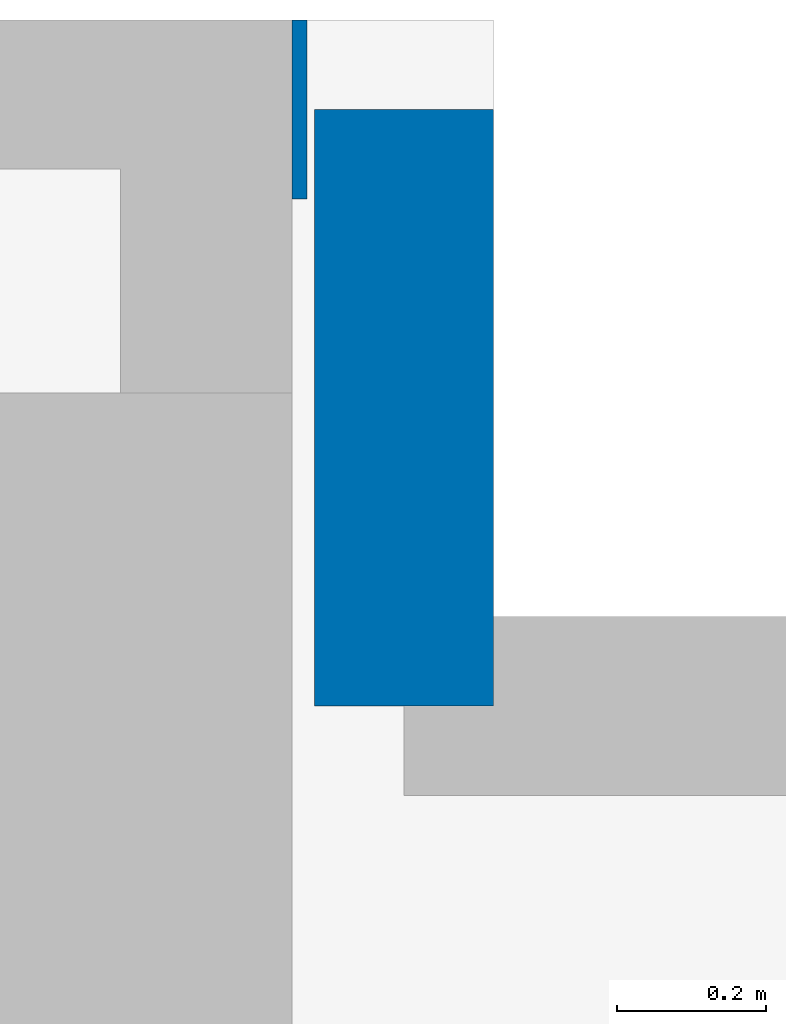
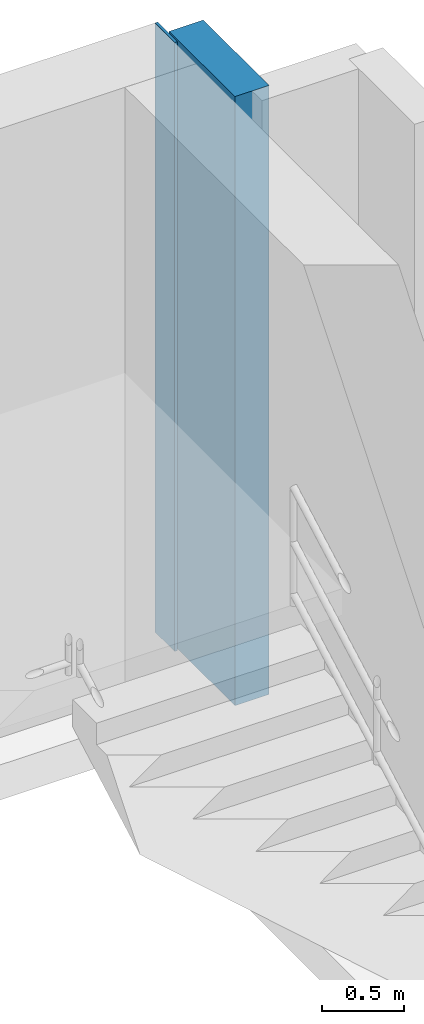
# One storey, part 8 of 11: 2 walls.
"""IFC4 building model written with IfcOpenShell, lengths in metres."""

import ifcopenshell
import ifcopenshell.guid

model = None  # the IFC model being written
_history = None  # IfcOwnerHistory: only IFC2X3 demands one
_inside = {}  # id of a spatial element -> (the spatial element, [elements in it])
_under = {}  # id of a project, library or spatial element -> (it, [spatial elements below it])
_declared = {}  # id of a project -> (the project, [libraries it declares])
_typed = {}  # id of a type object -> (the type object, [elements of that type])
_made_of = {}  # id of a material, layer set ... -> (it, [elements and type objects made of it])


def new_model(schema):
    """Start an empty IFC model of exactly this schema.

    Asked for "IFC4X3", IfcOpenShell would pick the latest addendum, in which some entities
    have other attributes; the version numbers below select the first issue.
    IFC2X3 requires an IfcOwnerHistory on every rooted entity: one is made here for all.
    """
    global model, _history
    if schema == "IFC4X3":
        model = ifcopenshell.file(schema_version=(4, 3, 0, 0))
    else:
        model = ifcopenshell.file(schema=schema)
    _inside.clear()
    _under.clear()
    _declared.clear()
    _typed.clear()
    _made_of.clear()
    _history = None
    if model.schema == "IFC2X3":
        org = make("IfcOrganization", Name="unknown")
        user = make(
            "IfcPersonAndOrganization",
            ThePerson=make("IfcPerson", FamilyName="unknown"),
            TheOrganization=org,
        )
        app = make(
            "IfcApplication",
            ApplicationDeveloper=org,
            Version="unknown",
            ApplicationFullName="unknown",
            ApplicationIdentifier="unknown",
        )
        _history = make(
            "IfcOwnerHistory",
            OwningUser=user,
            OwningApplication=app,
            ChangeAction="ADDED",
            CreationDate=0,
        )
    return model


def make(cls, **values):
    """One entity of the class cls with the attributes given. An attribute that is None is left unset."""
    return model.create_entity(
        cls, **{name: value for name, value in values.items() if value is not None}
    )


def rooted(cls, **values):
    """An entity with a GlobalId (a new one), such as an element, a storey or a relation."""
    return make(cls, GlobalId=ifcopenshell.guid.new(), OwnerHistory=_history, **values)


def si_unit(unit_type, name, prefix=None):
    """IfcSIUnit, for example si_unit("LENGTHUNIT", "METRE", prefix="MILLI")."""
    return make("IfcSIUnit", UnitType=unit_type, Prefix=prefix, Name=name)


def assignment(units):
    """IfcUnitAssignment: the units of a project."""
    return None if units is None else make("IfcUnitAssignment", Units=units)


def point(xyz):
    """IfcCartesianPoint."""
    return None if xyz is None else make("IfcCartesianPoint", Coordinates=xyz)


def direction(xyz):
    """IfcDirection."""
    return None if xyz is None else make("IfcDirection", DirectionRatios=xyz)


def frame(location, z_axis=None, x_axis=None):
    """IfcAxis2Placement3D, a coordinate frame: its origin and axes. An axis left out is left unset."""
    return make(
        "IfcAxis2Placement3D",
        Location=point(location),
        Axis=direction(z_axis),
        RefDirection=direction(x_axis),
    )


def frame_2d(location, x_axis=None):
    """IfcAxis2Placement2D, a coordinate frame in the plane: its origin and x axis."""
    return make(
        "IfcAxis2Placement2D", Location=point(location), RefDirection=direction(x_axis)
    )


def origin():
    """The frame at (0, 0, 0) with its axes left unset."""
    return frame((0.0, 0.0, 0.0))


def place(relative_to, where):
    """IfcLocalPlacement: puts the frame where relative to a parent placement (None: the world)."""
    return make(
        "IfcLocalPlacement", PlacementRelTo=relative_to, RelativePlacement=where
    )


def context(
    kind, dimensions, precision=None, world=None, true_north=None, identifier=None
):
    """IfcGeometricRepresentationContext, for example the 3D "Model" context."""
    return make(
        "IfcGeometricRepresentationContext",
        ContextIdentifier=identifier,
        ContextType=kind,
        CoordinateSpaceDimension=dimensions,
        Precision=precision,
        WorldCoordinateSystem=world,
        TrueNorth=true_north,
    )


def subcontext(parent, identifier, kind, view, scale=None):
    """IfcGeometricRepresentationSubContext, for example "Body" below "Model"."""
    return make(
        "IfcGeometricRepresentationSubContext",
        ContextIdentifier=identifier,
        ContextType=kind,
        ParentContext=parent,
        TargetScale=scale,
        TargetView=view,
    )


def project(units=None, contexts=None):
    """IfcProject with its units and contexts."""
    return rooted(
        "IfcProject",
        Name="project",
        RepresentationContexts=contexts,
        UnitsInContext=assignment(units),
    )


def spatial(cls, under=None, at=None, **own):
    """A site, building, storey or space (cls), placed at a placement, below another one or the project."""
    s = rooted(cls, ObjectPlacement=at, **own)
    if under is not None:
        _under.setdefault(under.id(), (under, []))[1].append(s)
    return s


def profile(cls, at=None, kind="AREA", **sizes):
    """A parametric profile (cls). Its sizes go by their IFC names, for example OverallWidth=200.0."""
    return make(cls, ProfileType=kind, Position=at, **sizes)


def rectangle(**sizes):
    """IfcRectangleProfileDef."""
    return profile("IfcRectangleProfileDef", **sizes)


def extrude(swept, where, along, depth):
    """IfcExtrudedAreaSolid: the profile swept, set in the frame where, extruded along a direction by depth."""
    return make(
        "IfcExtrudedAreaSolid",
        SweptArea=swept,
        Position=where,
        ExtrudedDirection=direction(along),
        Depth=depth,
    )


def shape(context_of_items, identifier, shape_type, items):
    """IfcShapeRepresentation: the items that make up one representation, for example the "Body"."""
    return make(
        "IfcShapeRepresentation",
        ContextOfItems=context_of_items,
        RepresentationIdentifier=identifier,
        RepresentationType=shape_type,
        Items=items,
    )


def material(Name=None, Category=None):
    """IfcMaterial."""
    return make("IfcMaterial", Name=Name, Category=Category)


def layer(
    of_material, thickness, ventilated=None, Name=None, Category=None, Priority=None
):
    """IfcMaterialLayer: one layer of a wall or slab, of a material (None: an air gap)."""
    return make(
        "IfcMaterialLayer",
        Material=of_material,
        LayerThickness=thickness,
        IsVentilated=ventilated,
        Name=Name,
        Category=Category,
        Priority=Priority,
    )


def layer_set(layers, Name=None):
    """IfcMaterialLayerSet."""
    return make("IfcMaterialLayerSet", MaterialLayers=layers, LayerSetName=Name)


def made_of(thing, what):
    """Note that an element or type object is made of a material, layer set ...; save() writes the relation."""
    if what is not None:
        _made_of.setdefault(what.id(), (what, []))[1].append(thing)
    return thing


def type_object(cls, material=None, **own):
    """A type object (cls), such as IfcWallType, which elements share."""
    return made_of(rooted(cls, **own), material)


def element(
    cls,
    number,
    at=None,
    inside=None,
    cuts=None,
    type_object=None,
    material=None,
    context=None,
    identifier="Body",
    shape_type=None,
    held_by="IfcProductDefinitionShape",
    body=None,
    shapes=None,
    **own,
):
    """One element of the class cls, such as IfcWall. Its Tag is "e" and its number.

    at: its placement. inside: the storey or other place that contains it. cuts: it is an
    opening in that element (IfcRelVoidsElement). A single representation is given by context,
    identifier, shape_type and body (its items); several are given by shapes. held_by: the class
    of the entity that holds the representations. save() writes the other relations.
    """
    e = rooted(cls, Tag="e%d" % number, ObjectPlacement=at, **own)
    if body is not None:
        shapes = [shape(context, identifier, shape_type, body)]
    if shapes is not None:
        e.Representation = make(held_by, Representations=shapes)
    if inside is not None:
        _inside.setdefault(inside.id(), (inside, []))[1].append(e)
    if cuts is not None:
        rooted(
            "IfcRelVoidsElement", RelatingBuildingElement=cuts, RelatedOpeningElement=e
        )
    if type_object is not None:
        _typed.setdefault(type_object.id(), (type_object, []))[1].append(e)
    return made_of(e, material)


def aggregate(whole, parts):
    """IfcRelAggregates: a whole, such as a stair, and the parts it consists of."""
    return rooted("IfcRelAggregates", RelatingObject=whole, RelatedObjects=parts)


def save(model, path):
    """Write the relations noted so far, then the file.

    IfcRelAggregates (storeys below a building ...), IfcRelContainedInSpatialStructure (elements
    in a storey), IfcRelDefinesByType, IfcRelAssociatesMaterial and IfcRelDeclares: one each for
    every whole, place, type object, material and project.
    """
    for whole, parts in _under.values():
        aggregate(whole, parts)
    for where, things in _inside.values():
        rooted(
            "IfcRelContainedInSpatialStructure",
            RelatedElements=things,
            RelatingStructure=where,
        )
    for kind, things in _typed.values():
        rooted("IfcRelDefinesByType", RelatedObjects=things, RelatingType=kind)
    for what, things in _made_of.values():
        rooted("IfcRelAssociatesMaterial", RelatedObjects=things, RelatingMaterial=what)
    for by, libraries in _declared.values():
        rooted("IfcRelDeclares", RelatingContext=by, RelatedDefinitions=libraries)
    model.write(path)


model = new_model("IFC4")

# Units and contexts
model_context = context("Model", 3, precision=1e-05, world=origin(), true_north=direction((0.0, 1.0)))
body_context = subcontext(model_context, "Body", "Model", "MODEL_VIEW")
ifc_project = project(units=[si_unit("LENGTHUNIT", "METRE"), si_unit("AREAUNIT", "SQUARE_METRE"), si_unit("VOLUMEUNIT", "CUBIC_METRE"), si_unit("PLANEANGLEUNIT", "RADIAN"), si_unit("MASSUNIT", "GRAM", prefix="KILO")], contexts=[model_context])

# Site, building, storey
site_placement = place(None, origin())
site = spatial("IfcSite", under=ifc_project, at=site_placement, CompositionType="ELEMENT")
building_placement = place(site_placement, origin())
building = spatial("IfcBuilding", under=site, at=building_placement, Name="Qianlan Lanfeng Residences", CompositionType="ELEMENT")
storey_placement = place(building_placement, frame((0.0, 0.0, 266.0)))
storey = spatial("IfcBuildingStorey", under=building, at=storey_placement, Name="L74", CompositionType="ELEMENT", Elevation=266.0)

# Walls
ifc_material = material(Name="Concrete C42", Category="concrete")
ifc_layer = layer(ifc_material, 0.239990234375)
ifc_layer_set = layer_set([ifc_layer], Name="Concrete C42")
wall_type = type_object("IfcWallType", Name="EW-240", PredefinedType="SOLIDWALL", material=ifc_layer_set)
wall_1_placement = place(storey_placement, frame((42.669921875, 40.1298828125, 0.0), z_axis=(0.0, 0.0, 1.0), x_axis=(-1.0, 0.0, 0.0)))
element("IfcWall", 1, at=wall_1_placement, inside=storey, type_object=wall_type, Name="L74 North Wing Wall E", PredefinedType="SOLIDWALL", context=body_context, shape_type="SweptSolid", body=[
    extrude(rectangle(XDim=0.02001953125, YDim=0.239990234375, at=frame_2d((0.010009765625, 0.0))), origin(), (0.0, 0.0, 1.0), 4.52001953125),
])
wall_2_placement = place(storey_placement, frame((42.800048828125, 39.330078125, 0.0), z_axis=(0.0, 0.0, 1.0), x_axis=(0.0, 1.0, 0.0)))
element("IfcWall", 2, at=wall_2_placement, inside=storey, type_object=wall_type, Name="L74 Exterior Facade Wall 12", PredefinedType="SOLIDWALL", context=body_context, shape_type="SweptSolid", body=[
    extrude(rectangle(XDim=0.7998046875, YDim=0.239990234375, at=frame_2d((0.39990234375, 0.0))), origin(), (0.0, 0.0, 1.0), 4.52001953125),
])

save(model, "model.ifc")
